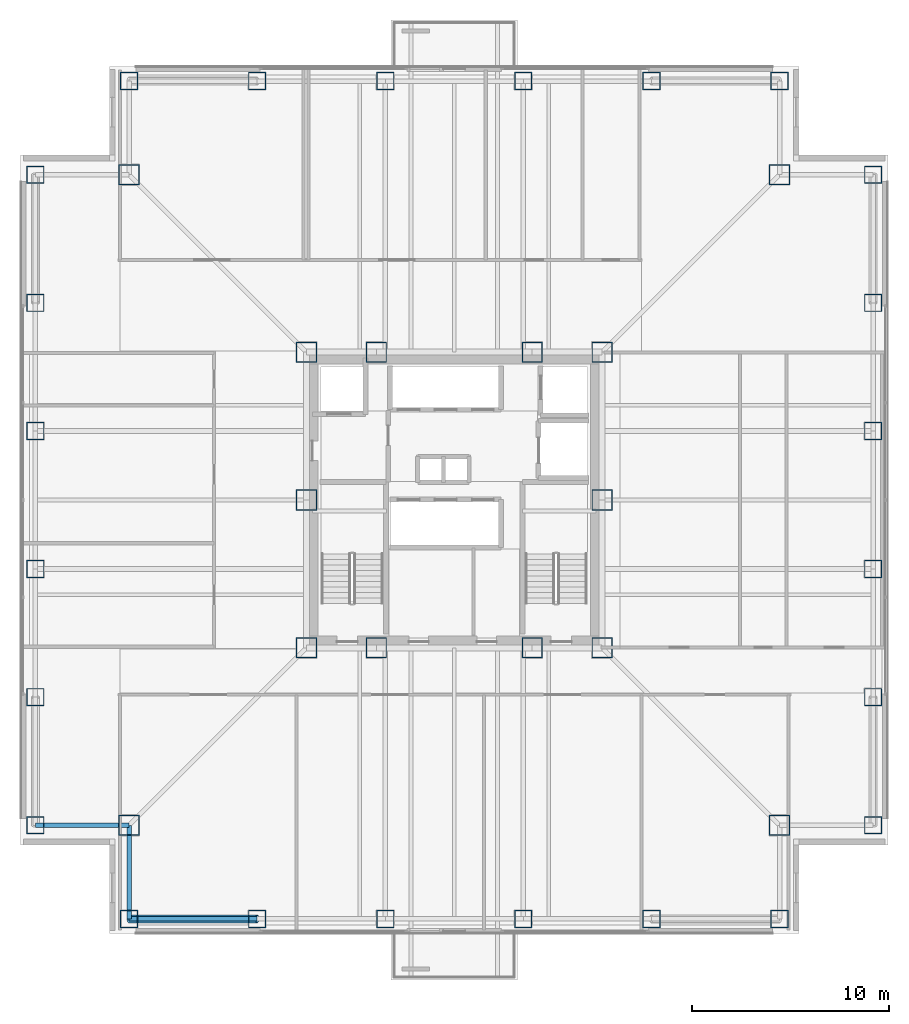
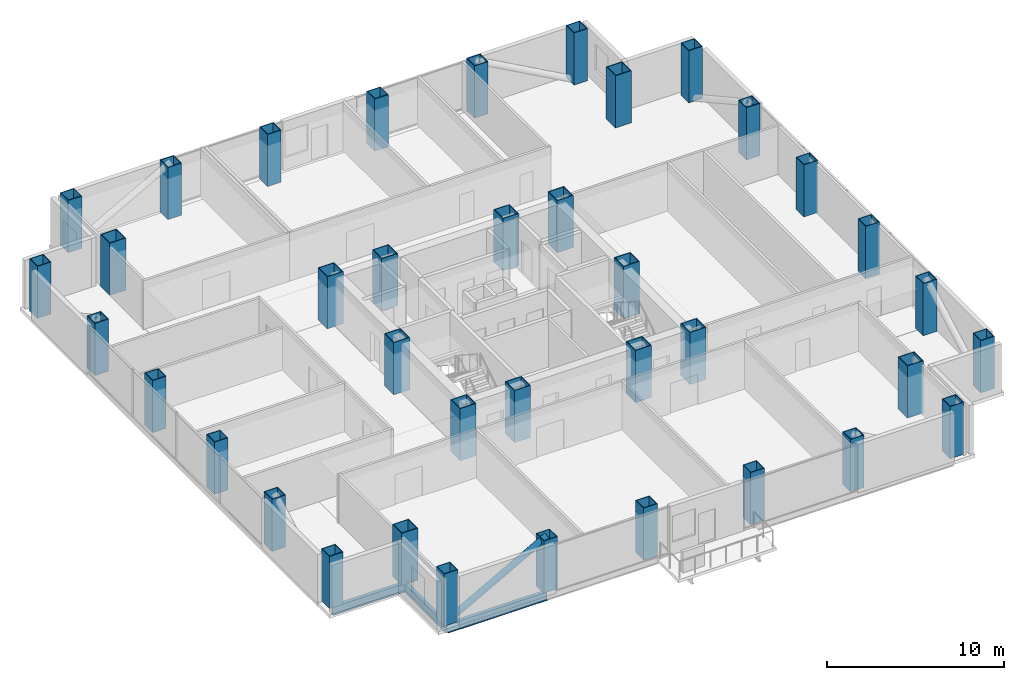
# One storey, part 1 of 14: 38 columns, 3 beams, 1 member.
"""IFC4 building model written with IfcOpenShell, lengths in metres."""

from ifc_helpers import new_model, si_unit, direction, frame, origin, origin_2d, place, context, subcontext, project, spatial, hollow_rectangle, hollow_circle, i_section, extrude, material, material_profile, profile_set, type_object, element, save


model = new_model("IFC4")

# Units and contexts
model_context = context("Model", 3, precision=1e-05, world=origin(), true_north=direction((0.0, 1.0)))
body_context = subcontext(model_context, "Body", "Model", "MODEL_VIEW")
ifc_project = project(units=[si_unit("LENGTHUNIT", "METRE"), si_unit("AREAUNIT", "SQUARE_METRE"), si_unit("VOLUMEUNIT", "CUBIC_METRE"), si_unit("PLANEANGLEUNIT", "RADIAN"), si_unit("MASSUNIT", "GRAM", prefix="KILO")], contexts=[model_context])

# Site, building, storey
site_placement = place(None, origin())
site = spatial("IfcSite", under=ifc_project, at=site_placement, CompositionType="ELEMENT")
building_placement = place(site_placement, origin())
building = spatial("IfcBuilding", under=site, at=building_placement, Name="Trevonay Congress Spire", CompositionType="ELEMENT")
storey_placement = place(building_placement, frame((0.0, 0.0, 133.60009765625)))
storey = spatial("IfcBuildingStorey", under=building, at=storey_placement, Name="L34", CompositionType="ELEMENT", Elevation=133.60009765625)

# Columns
ifc_material_1 = material(Name="Steel ASTM A572 Grade 50", Category="steel")
ifc_material_profile_1 = material_profile(ifc_material_1, hollow_rectangle(XDim=1.050048828125, YDim=1.050048828125, WallThickness=0.050048828125, at=origin_2d()), Name="BOX 1050x1050x50")
ifc_profile_set_1 = profile_set([ifc_material_profile_1], Name="Steel ASTM A572 Grade 50")
column_type_1 = type_object("IfcColumnType", Name="COL-CORE-BOX1050", PredefinedType="COLUMN", material=ifc_profile_set_1)
for number, where, z_axis, x_axis, name in (
    (1, (-7.5, -7.5, 0.0), (0.0, 0.0, 1.0), (1.0, 0.0, 0.0), "L34 column C03 at CC-SW"),
    (2, (-3.949951171875, -7.5, 0.0), (0.0, 0.0, 1.0), (1.0, 0.0, 0.0), "L34 column C03 at CC-SMW"),
    (3, (3.949951171875, -7.5, 0.0), (0.0, 0.0, 1.0), (1.0, 0.0, 0.0), "L34 column C03 at CC-SME"),
    (4, (7.5, -7.5, 0.0), (0.0, 0.0, 1.0), (1.0, 0.0, 0.0), "L34 column C03 at CC-SE"),
    (5, (7.5, 0.0, 0.0), (0.0, 0.0, 1.0), (1.0, 0.0, 0.0), "L34 column C03 at CC-E"),
    (6, (7.5, 7.5, 0.0), (0.0, 0.0, 1.0), (1.0, 0.0, 0.0), "L34 column C03 at CC-NE"),
    (7, (3.949951171875, 7.5, 0.0), (0.0, 0.0, 1.0), (1.0, 0.0, 0.0), "L34 column C03 at CC-NME"),
    (8, (-3.949951171875, 7.5, 0.0), (0.0, 0.0, 1.0), (1.0, 0.0, 0.0), "L34 column C03 at CC-NMW"),
    (9, (-7.5, 7.5, 0.0), (0.0, 0.0, 1.0), (1.0, 0.0, 0.0), "L34 column C03 at CC-NW"),
    (10, (-7.5, 0.0, 0.0), (0.0, 0.0, 1.0), (1.0, 0.0, 0.0), "L34 column C03 at CC-W"),
):
    element("IfcColumn", number, at=place(storey_placement, frame(where, z_axis=z_axis, x_axis=x_axis)), inside=storey, type_object=column_type_1, Name=name, PredefinedType="COLUMN", context=body_context, shape_type="SweptSolid", body=[
        extrude(hollow_rectangle(XDim=1.050048828125, YDim=1.050048828125, WallThickness=0.050048828125, at=origin_2d()), origin(), (0.0, 0.0, 1.0), 3.599853515625),
    ])
ifc_material_profile_2 = material_profile(ifc_material_1, hollow_rectangle(XDim=1.050048828125, YDim=1.050048828125, WallThickness=0.050048828125, at=origin_2d()), Name="BOX 1050x1050x50")
ifc_profile_set_2 = profile_set([ifc_material_profile_2], Name="Steel ASTM A572 Grade 50")
column_type_2 = type_object("IfcColumnType", Name="COL-TUBE-BOX1050", PredefinedType="COLUMN", material=ifc_profile_set_2)
for number, where, z_axis, x_axis, name in (
    (11, (-16.5, -16.5, 0.0), (0.0, 0.0, 1.0), (1.0, 0.0, 0.0), "L34 column C14 at NC-SW"),
    (12, (16.5, -16.5, 0.0), (0.0, 0.0, 1.0), (1.0, 0.0, 0.0), "L34 column C14 at NC-SE"),
    (13, (16.5, 16.5, 0.0), (0.0, 0.0, 1.0), (1.0, 0.0, 0.0), "L34 column C14 at NC-NE"),
    (14, (-16.5, 16.5, 0.0), (0.0, 0.0, 1.0), (1.0, 0.0, 0.0), "L34 column C14 at NC-NW"),
):
    element("IfcColumn", number, at=place(storey_placement, frame(where, z_axis=z_axis, x_axis=x_axis)), inside=storey, type_object=column_type_2, Name=name, PredefinedType="COLUMN", context=body_context, shape_type="SweptSolid", body=[
        extrude(hollow_rectangle(XDim=1.050048828125, YDim=1.050048828125, WallThickness=0.050048828125, at=origin_2d()), origin(), (0.0, 0.0, 1.0), 3.599853515625),
    ])
ifc_material_profile_3 = material_profile(ifc_material_1, hollow_rectangle(XDim=0.89990234375, YDim=0.89990234375, WallThickness=0.044921875, at=origin_2d()), Name="BOX 900x900x45")
ifc_profile_set_3 = profile_set([ifc_material_profile_3], Name="Steel ASTM A572 Grade 50")
column_type_3 = type_object("IfcColumnType", Name="COL-TUBE-BOX900", PredefinedType="COLUMN", material=ifc_profile_set_3)
for number, where, z_axis, x_axis, name in (
    (15, (-16.5, -21.25, 0.0), (0.0, 0.0, 1.0), (1.0, 0.0, 0.0), "L34 column C15 at TS-1"),
    (16, (-16.5, 21.25, 0.0), (0.0, 0.0, 1.0), (1.0, 0.0, 0.0), "L34 column C15 at TN-1"),
    (17, (-21.25, -16.5, 0.0), (0.0, 0.0, 1.0), (1.0, 0.0, 0.0), "L34 column C15 at TW-1"),
    (18, (21.25, -16.5, 0.0), (0.0, 0.0, 1.0), (1.0, 0.0, 0.0), "L34 column C15 at TE-1"),
    (19, (-10.0, -21.25, 0.0), (0.0, 0.0, 1.0), (1.0, 0.0, 0.0), "L34 column C15 at TS-2"),
    (20, (-10.0, 21.25, 0.0), (0.0, 0.0, 1.0), (1.0, 0.0, 0.0), "L34 column C15 at TN-2"),
    (21, (-21.25, -10.0, 0.0), (0.0, 0.0, 1.0), (1.0, 0.0, 0.0), "L34 column C15 at TW-2"),
    (22, (21.25, -10.0, 0.0), (0.0, 0.0, 1.0), (1.0, 0.0, 0.0), "L34 column C15 at TE-2"),
    (23, (-3.5, -21.25, 0.0), (0.0, 0.0, 1.0), (1.0, 0.0, 0.0), "L34 column C15 at TS-3"),
    (24, (-3.5, 21.25, 0.0), (0.0, 0.0, 1.0), (1.0, 0.0, 0.0), "L34 column C15 at TN-3"),
    (25, (-21.25, -3.5, 0.0), (0.0, 0.0, 1.0), (1.0, 0.0, 0.0), "L34 column C15 at TW-3"),
    (26, (21.25, -3.5, 0.0), (0.0, 0.0, 1.0), (1.0, 0.0, 0.0), "L34 column C15 at TE-3"),
    (27, (3.5, -21.25, 0.0), (0.0, 0.0, 1.0), (1.0, 0.0, 0.0), "L34 column C15 at TS-4"),
    (28, (3.5, 21.25, 0.0), (0.0, 0.0, 1.0), (1.0, 0.0, 0.0), "L34 column C15 at TN-4"),
    (29, (-21.25, 3.5, 0.0), (0.0, 0.0, 1.0), (1.0, 0.0, 0.0), "L34 column C15 at TW-4"),
    (30, (21.25, 3.5, 0.0), (0.0, 0.0, 1.0), (1.0, 0.0, 0.0), "L34 column C15 at TE-4"),
    (31, (10.0, -21.25, 0.0), (0.0, 0.0, 1.0), (1.0, 0.0, 0.0), "L34 column C15 at TS-5"),
    (32, (10.0, 21.25, 0.0), (0.0, 0.0, 1.0), (1.0, 0.0, 0.0), "L34 column C15 at TN-5"),
    (33, (-21.25, 10.0, 0.0), (0.0, 0.0, 1.0), (1.0, 0.0, 0.0), "L34 column C15 at TW-5"),
    (34, (21.25, 10.0, 0.0), (0.0, 0.0, 1.0), (1.0, 0.0, 0.0), "L34 column C15 at TE-5"),
    (35, (16.5, -21.25, 0.0), (0.0, 0.0, 1.0), (1.0, 0.0, 0.0), "L34 column C15 at TS-6"),
    (36, (16.5, 21.25, 0.0), (0.0, 0.0, 1.0), (1.0, 0.0, 0.0), "L34 column C15 at TN-6"),
    (37, (-21.25, 16.5, 0.0), (0.0, 0.0, 1.0), (1.0, 0.0, 0.0), "L34 column C15 at TW-6"),
    (38, (21.25, 16.5, 0.0), (0.0, 0.0, 1.0), (1.0, 0.0, 0.0), "L34 column C15 at TE-6"),
):
    element("IfcColumn", number, at=place(storey_placement, frame(where, z_axis=z_axis, x_axis=x_axis)), inside=storey, type_object=column_type_3, Name=name, PredefinedType="COLUMN", context=body_context, shape_type="SweptSolid", body=[
        extrude(hollow_rectangle(XDim=0.89990234375, YDim=0.89990234375, WallThickness=0.044921875, at=origin_2d()), origin(), (0.0, 0.0, 1.0), 3.599853515625),
    ])

# Beams
ifc_material_profile_4 = material_profile(ifc_material_1, i_section(OverallWidth=0.22802734375, OverallDepth=0.60791015625, WebThickness=0.01123046875, FlangeThickness=0.017333984375, FilletRadius=0.01611328125, at=origin_2d()), Name="W610x113")
ifc_profile_set_4 = profile_set([ifc_material_profile_4], Name="Steel ASTM A572 Grade 50")
beam_type = type_object("IfcBeamType", Name="BM-RING-W610X113", PredefinedType="BEAM", material=ifc_profile_set_4)
beam_placement = place(storey_placement, frame((-16.5, -21.25, -0.544189453125), z_axis=(1.0, 0.0, 0.0), x_axis=(0.0, 1.0, 0.0)))
element("IfcBeam", 39, at=beam_placement, inside=storey, type_object=beam_type, Name="L34 structural beam BM-L34-PS1", PredefinedType="BEAM", context=body_context, shape_type="SweptSolid", body=[
    extrude(i_section(OverallWidth=0.22802734375, OverallDepth=0.60791015625, WebThickness=0.01123046875, FlangeThickness=0.017333984375, FilletRadius=0.01611328125, at=origin_2d()), origin(), (0.0, 0.0, 1.0), 6.5),
])
for number, where, z_axis, x_axis, name in (
    (40, (-16.5, -21.25, -0.544189453125), (0.0, 1.0, 0.0), (-1.0, 0.0, 0.0), "L34 structural beam BM-L34-N1SW"),
    (41, (-21.25, -16.5, -0.544189453125), (1.0, 0.0, 0.0), (0.0, 1.0, 0.0), "L34 structural beam BM-L34-N2SW"),
):
    element("IfcBeam", number, at=place(storey_placement, frame(where, z_axis=z_axis, x_axis=x_axis)), inside=storey, type_object=beam_type, Name=name, PredefinedType="BEAM", context=body_context, shape_type="SweptSolid", body=[
        extrude(i_section(OverallWidth=0.22802734375, OverallDepth=0.60791015625, WebThickness=0.01123046875, FlangeThickness=0.017333984375, FilletRadius=0.01611328125, at=origin_2d()), origin(), (0.0, 0.0, 1.0), 4.75),
    ])

# Member
ifc_material_2 = material(Name="Steel ASTM A500 Grade C", Category="steel")
ifc_material_profile_5 = material_profile(ifc_material_2, hollow_circle(Radius=0.203125, WallThickness=0.02001953125, at=origin_2d()), Name="CHS 406.4x20")
ifc_profile_set_5 = profile_set([ifc_material_profile_5], Name="Steel ASTM A500 Grade C")
member_type = type_object("IfcMemberType", Name="MBR-TUBE-CHS406", PredefinedType="BRACE", material=ifc_profile_set_5)
member_placement = place(storey_placement, frame((-16.5, -21.25, -0.050048828125), z_axis=(0.874799711691, 0.0, 0.484484741169), x_axis=(0.0, 1.0, 0.0)))
element("IfcMember", 42, at=member_placement, inside=storey, type_object=member_type, Name="L34 perimeter braced-tube diagonal S0", PredefinedType="BRACE", context=body_context, shape_type="SweptSolid", body=[
    extrude(hollow_circle(Radius=0.203125, WallThickness=0.02001953125, at=origin_2d()), origin(), (0.0, 0.0, 1.0), 7.43017578125),
])

save(model, "model.ifc")
